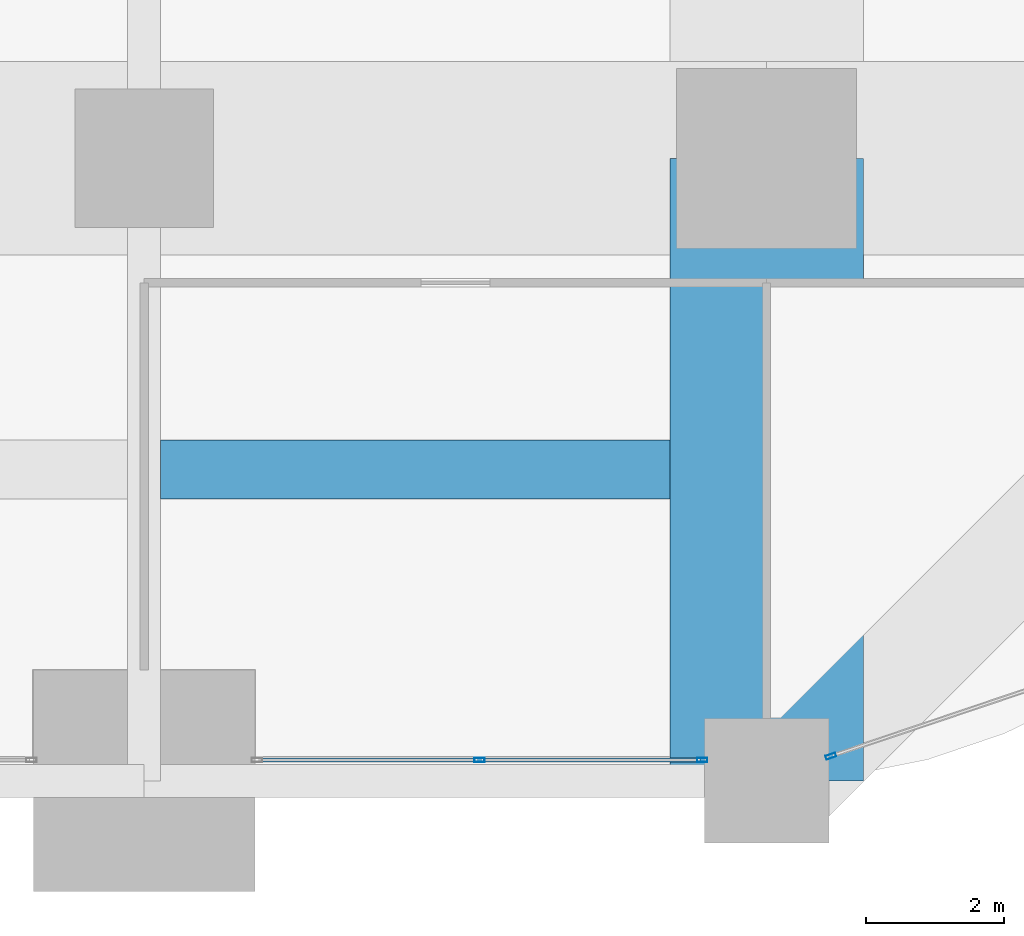
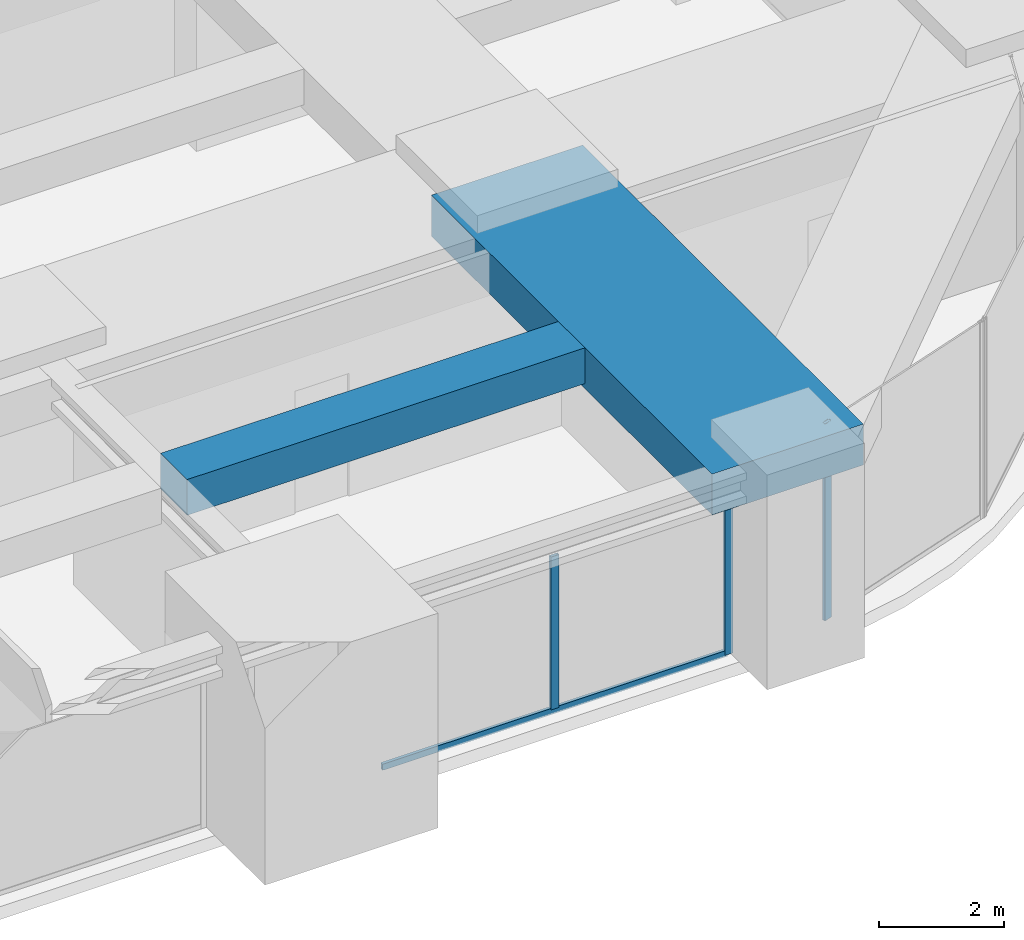
# One storey, part 17 of 45: 4 members, 2 beams, 2 elements without a shape of their own.
"""IFC4 building model written with IfcOpenShell, lengths in metres."""

from ifc_helpers import new_model, si_unit, direction, frame, origin, origin_2d, place, context, subcontext, project, spatial, rectangle, hollow_rectangle, extrude, material, material_profile, profile_set, type_object, element, aggregate, save


model = new_model("IFC4")

# Units and contexts
model_context = context("Model", 3, precision=1e-05, world=origin(), true_north=direction((0.0, 1.0)))
body_context = subcontext(model_context, "Body", "Model", "MODEL_VIEW")
ifc_project = project(units=[si_unit("LENGTHUNIT", "METRE"), si_unit("AREAUNIT", "SQUARE_METRE"), si_unit("VOLUMEUNIT", "CUBIC_METRE"), si_unit("PLANEANGLEUNIT", "RADIAN"), si_unit("MASSUNIT", "GRAM", prefix="KILO")], contexts=[model_context])

# Site, building, storey
site_placement = place(None, origin())
site = spatial("IfcSite", under=ifc_project, at=site_placement, CompositionType="ELEMENT")
building_placement = place(site_placement, origin())
building = spatial("IfcBuilding", under=site, at=building_placement, Name="Zorevar Civic Tower", CompositionType="ELEMENT")
storey_placement = place(building_placement, frame((0.0, 0.0, 153.0)))
storey = spatial("IfcBuildingStorey", under=building, at=storey_placement, Name="L37", CompositionType="ELEMENT", Elevation=153.0)

# Beams
ifc_material_1 = material(Name="Concrete C50/60", Category="concrete")
ifc_material_profile_1 = material_profile(ifc_material_1, rectangle(XDim=2.800048828125, YDim=0.800048828125, at=origin_2d()), Name="RC 2800x800")
ifc_profile_set_1 = profile_set([ifc_material_profile_1], Name="Concrete C50/60")
beam_type_1 = type_object("IfcBeamType", Name="Beam RC 2800x800", PredefinedType="BEAM", material=ifc_profile_set_1)
beam_1_placement = place(storey_placement, frame((54.0, 0.0, 3.449951171875), z_axis=(0.0, 1.0, 0.0), x_axis=(-1.0, 0.0, 0.0)))
element("IfcBeam", 1, at=beam_1_placement, inside=storey, type_object=beam_type_1, Name="Girder L38", PredefinedType="BEAM", context=body_context, shape_type="SweptSolid", body=[
    extrude(rectangle(XDim=2.800048828125, YDim=0.800048828125, at=origin_2d()), origin(), (0.0, 0.0, 1.0), 9.0),
])
ifc_material_2 = material(Name="Concrete C50/60", Category="concrete")
ifc_material_profile_2 = material_profile(ifc_material_2, rectangle(XDim=0.85009765625, YDim=0.699951171875, at=origin_2d()), Name="RC 850x700")
ifc_profile_set_2 = profile_set([ifc_material_profile_2], Name="Concrete C50/60")
beam_type_2 = type_object("IfcBeamType", Name="Beam RC 850x700", PredefinedType="BEAM", material=ifc_profile_set_2)
beam_2_placement = place(storey_placement, frame((45.238037109375, 4.5, 3.5), z_axis=(1.0, 0.0, 0.0), x_axis=(0.0, 1.0, 0.0)))
element("IfcBeam", 2, at=beam_2_placement, inside=storey, type_object=beam_type_2, Name="Secondary beam L38", PredefinedType="BEAM", context=body_context, shape_type="SweptSolid", body=[
    extrude(rectangle(XDim=0.85009765625, YDim=0.699951171875, at=origin_2d()), origin(), (0.0, 0.0, 1.0), 7.362060546875),
])

# Curtain wall, members
ifc_material_3 = material(Name="Dark grey solar-control glass in black aluminium frame", Category="aluminium")
curtain_wall_type = type_object("IfcCurtainWallType", Name="Curtain wall CW3 mid zone", PredefinedType="NOTDEFINED", material=ifc_material_3)
curtain_wall_1_placement = place(storey_placement, origin())
curtain_wall_1 = element("IfcCurtainWall", 3, at=curtain_wall_1_placement, inside=storey, type_object=curtain_wall_type, Name="CW3 L37", PredefinedType="NOTDEFINED")
ifc_material_4 = material(Name="Aluminium, black anodised", Category="aluminium")
ifc_material_profile_3 = material_profile(ifc_material_4, hollow_rectangle(XDim=0.06005859375, YDim=0.14990234375, WallThickness=0.00390625, at=origin_2d()), Name="AL 150x60x4")
ifc_profile_set_3 = profile_set([ifc_material_profile_3], Name="Aluminium, black anodised")
member_type_1 = type_object("IfcMemberType", Name="CW3 mullion AL 150x60x4", PredefinedType="MULLION", material=ifc_profile_set_3)
member_1_placement = place(storey_placement, frame((49.85009765625, 0.300048828125, 0.06005859375), z_axis=(0.0, 0.0, 1.0), x_axis=(0.0, 1.0, 0.0)))
member_1 = element("IfcMember", 4, at=member_1_placement, type_object=member_type_1, Name="CW3 mullion 2", PredefinedType="MULLION", context=body_context, shape_type="SweptSolid", body=[
    extrude(hollow_rectangle(XDim=0.06005859375, YDim=0.14990234375, WallThickness=0.00390625, at=origin_2d()), origin(), (0.0, 0.0, 1.0), 2.989990234375),
])
member_2_placement = place(storey_placement, frame((53.070068359375, 0.300048828125, 0.0), z_axis=(0.0, 0.0, 1.0), x_axis=(0.0, 1.0, 0.0)))
member_2 = element("IfcMember", 5, at=member_2_placement, type_object=member_type_1, Name="CW3 mullion 3", PredefinedType="MULLION", context=body_context, shape_type="SweptSolid", body=[
    extrude(hollow_rectangle(XDim=0.06005859375, YDim=0.14990234375, WallThickness=0.00390625, at=origin_2d()), origin(), (0.0, 0.0, 1.0), 3.050048828125),
])

# Curtain wall, member
curtain_wall_2_placement = place(storey_placement, origin())
curtain_wall_2 = element("IfcCurtainWall", 6, at=curtain_wall_2_placement, inside=storey, type_object=curtain_wall_type, Name="CW3 L37", PredefinedType="NOTDEFINED")
member_3_placement = place(storey_placement, frame((54.928466796875, 0.356201171875, 0.0), z_axis=(0.0, 0.0, 1.0), x_axis=(-0.319412525043, 0.947615765406, 0.0)))
member_3 = element("IfcMember", 7, at=member_3_placement, type_object=member_type_1, Name="CW3 mullion 1", PredefinedType="MULLION", context=body_context, shape_type="SweptSolid", body=[
    extrude(hollow_rectangle(XDim=0.06005859375, YDim=0.14990234375, WallThickness=0.00390625, at=origin_2d()), origin(), (0.0, 0.0, 1.0), 3.85009765625),
])
aggregate(curtain_wall_2, [member_3])

# Member
ifc_material_5 = material(Name="Aluminium, black anodised", Category="aluminium")
ifc_material_profile_4 = material_profile(ifc_material_5, hollow_rectangle(XDim=0.06005859375, YDim=0.1201171875, WallThickness=0.0029296875, at=origin_2d()), Name="AL 120x60x3")
ifc_profile_set_4 = profile_set([ifc_material_profile_4], Name="Aluminium, black anodised")
member_type_2 = type_object("IfcMemberType", Name="CW3 transom AL 120x60x3", PredefinedType="USERDEFINED", material=ifc_profile_set_4)
member_4_placement = place(storey_placement, frame((46.659912109375, 0.300048828125, 0.030029296875), z_axis=(1.0, 0.0, 0.0), x_axis=(0.0, 1.0, 0.0)))
member_4 = element("IfcMember", 8, at=member_4_placement, type_object=member_type_2, Name="CW3 sill transom", ObjectType="TRANSOM", PredefinedType="USERDEFINED", context=body_context, shape_type="SweptSolid", body=[
    extrude(hollow_rectangle(XDim=0.06005859375, YDim=0.1201171875, WallThickness=0.0029296875, at=origin_2d()), origin(), (0.0, 0.0, 1.0), 6.380126953125),
])

aggregate(curtain_wall_1, [member_1, member_2, member_4])

save(model, "model.ifc")
